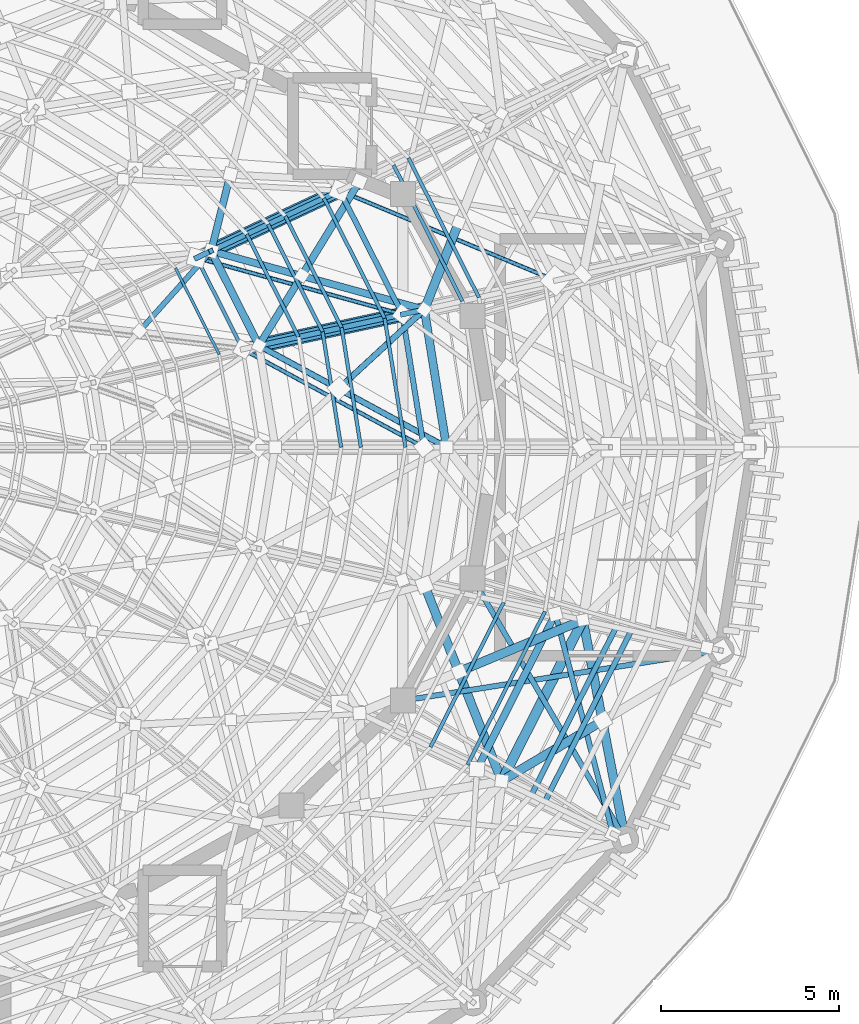
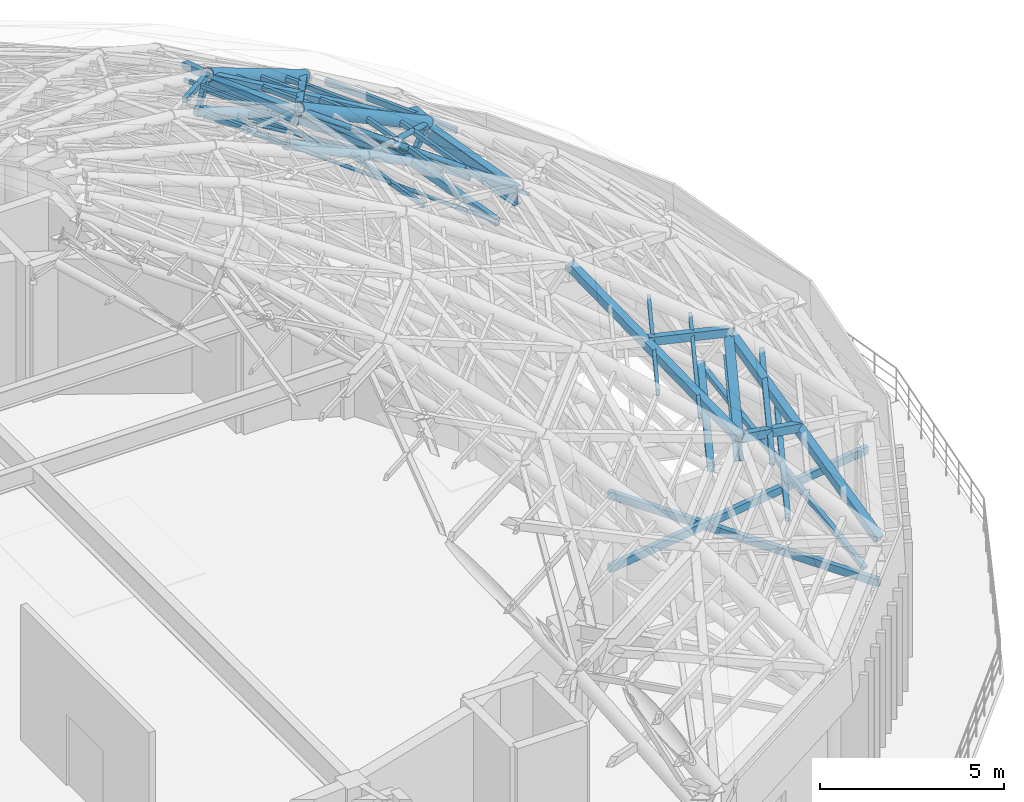
# One storey, part 23 of 50: 44 members, 3 beams.
"""IFC4 building model written with IfcOpenShell, lengths in metres."""

import ifcopenshell
import ifcopenshell.guid

model = None  # the IFC model being written
_history = None  # IfcOwnerHistory: only IFC2X3 demands one
_inside = {}  # id of a spatial element -> (the spatial element, [elements in it])
_under = {}  # id of a project, library or spatial element -> (it, [spatial elements below it])
_declared = {}  # id of a project -> (the project, [libraries it declares])
_typed = {}  # id of a type object -> (the type object, [elements of that type])
_made_of = {}  # id of a material, layer set ... -> (it, [elements and type objects made of it])


def new_model(schema):
    """Start an empty IFC model of exactly this schema.

    Asked for "IFC4X3", IfcOpenShell would pick the latest addendum, in which some entities
    have other attributes; the version numbers below select the first issue.
    IFC2X3 requires an IfcOwnerHistory on every rooted entity: one is made here for all.
    """
    global model, _history
    if schema == "IFC4X3":
        model = ifcopenshell.file(schema_version=(4, 3, 0, 0))
    else:
        model = ifcopenshell.file(schema=schema)
    _inside.clear()
    _under.clear()
    _declared.clear()
    _typed.clear()
    _made_of.clear()
    _history = None
    if model.schema == "IFC2X3":
        org = make("IfcOrganization", Name="unknown")
        user = make(
            "IfcPersonAndOrganization",
            ThePerson=make("IfcPerson", FamilyName="unknown"),
            TheOrganization=org,
        )
        app = make(
            "IfcApplication",
            ApplicationDeveloper=org,
            Version="unknown",
            ApplicationFullName="unknown",
            ApplicationIdentifier="unknown",
        )
        _history = make(
            "IfcOwnerHistory",
            OwningUser=user,
            OwningApplication=app,
            ChangeAction="ADDED",
            CreationDate=0,
        )
    return model


def make(cls, **values):
    """One entity of the class cls with the attributes given. An attribute that is None is left unset."""
    return model.create_entity(
        cls, **{name: value for name, value in values.items() if value is not None}
    )


def rooted(cls, **values):
    """An entity with a GlobalId (a new one), such as an element, a storey or a relation."""
    return make(cls, GlobalId=ifcopenshell.guid.new(), OwnerHistory=_history, **values)


def si_unit(unit_type, name, prefix=None):
    """IfcSIUnit, for example si_unit("LENGTHUNIT", "METRE", prefix="MILLI")."""
    return make("IfcSIUnit", UnitType=unit_type, Prefix=prefix, Name=name)


def assignment(units):
    """IfcUnitAssignment: the units of a project."""
    return None if units is None else make("IfcUnitAssignment", Units=units)


def point(xyz):
    """IfcCartesianPoint."""
    return None if xyz is None else make("IfcCartesianPoint", Coordinates=xyz)


def direction(xyz):
    """IfcDirection."""
    return None if xyz is None else make("IfcDirection", DirectionRatios=xyz)


def frame(location, z_axis=None, x_axis=None):
    """IfcAxis2Placement3D, a coordinate frame: its origin and axes. An axis left out is left unset."""
    return make(
        "IfcAxis2Placement3D",
        Location=point(location),
        Axis=direction(z_axis),
        RefDirection=direction(x_axis),
    )


def frame_2d(location, x_axis=None):
    """IfcAxis2Placement2D, a coordinate frame in the plane: its origin and x axis."""
    return make(
        "IfcAxis2Placement2D", Location=point(location), RefDirection=direction(x_axis)
    )


def origin():
    """The frame at (0, 0, 0) with its axes left unset."""
    return frame((0.0, 0.0, 0.0))


def origin_2d():
    """The frame at (0, 0) in the plane with its x axis left unset."""
    return frame_2d((0.0, 0.0))


def place(relative_to, where):
    """IfcLocalPlacement: puts the frame where relative to a parent placement (None: the world)."""
    return make(
        "IfcLocalPlacement", PlacementRelTo=relative_to, RelativePlacement=where
    )


def context(
    kind, dimensions, precision=None, world=None, true_north=None, identifier=None
):
    """IfcGeometricRepresentationContext, for example the 3D "Model" context."""
    return make(
        "IfcGeometricRepresentationContext",
        ContextIdentifier=identifier,
        ContextType=kind,
        CoordinateSpaceDimension=dimensions,
        Precision=precision,
        WorldCoordinateSystem=world,
        TrueNorth=true_north,
    )


def subcontext(parent, identifier, kind, view, scale=None):
    """IfcGeometricRepresentationSubContext, for example "Body" below "Model"."""
    return make(
        "IfcGeometricRepresentationSubContext",
        ContextIdentifier=identifier,
        ContextType=kind,
        ParentContext=parent,
        TargetScale=scale,
        TargetView=view,
    )


def project(units=None, contexts=None):
    """IfcProject with its units and contexts."""
    return rooted(
        "IfcProject",
        Name="project",
        RepresentationContexts=contexts,
        UnitsInContext=assignment(units),
    )


def spatial(cls, under=None, at=None, **own):
    """A site, building, storey or space (cls), placed at a placement, below another one or the project."""
    s = rooted(cls, ObjectPlacement=at, **own)
    if under is not None:
        _under.setdefault(under.id(), (under, []))[1].append(s)
    return s


def profile(cls, at=None, kind="AREA", **sizes):
    """A parametric profile (cls). Its sizes go by their IFC names, for example OverallWidth=200.0."""
    return make(cls, ProfileType=kind, Position=at, **sizes)


def hollow_rectangle(**sizes):
    """IfcRectangleHollowProfileDef."""
    return profile("IfcRectangleHollowProfileDef", **sizes)


def hollow_circle(**sizes):
    """IfcCircleHollowProfileDef."""
    return profile("IfcCircleHollowProfileDef", **sizes)


def i_section(**sizes):
    """IfcIShapeProfileDef."""
    return profile("IfcIShapeProfileDef", **sizes)


def extrude(swept, where, along, depth):
    """IfcExtrudedAreaSolid: the profile swept, set in the frame where, extruded along a direction by depth."""
    return make(
        "IfcExtrudedAreaSolid",
        SweptArea=swept,
        Position=where,
        ExtrudedDirection=direction(along),
        Depth=depth,
    )


def shape(context_of_items, identifier, shape_type, items):
    """IfcShapeRepresentation: the items that make up one representation, for example the "Body"."""
    return make(
        "IfcShapeRepresentation",
        ContextOfItems=context_of_items,
        RepresentationIdentifier=identifier,
        RepresentationType=shape_type,
        Items=items,
    )


def material(Name=None, Category=None):
    """IfcMaterial."""
    return make("IfcMaterial", Name=Name, Category=Category)


def material_profile(
    of_material, cross_section, Name=None, Category=None, Priority=None
):
    """IfcMaterialProfile: a cross section and its material."""
    return make(
        "IfcMaterialProfile",
        Name=Name,
        Material=of_material,
        Profile=cross_section,
        Priority=Priority,
        Category=Category,
    )


def profile_set(profiles, Name=None, composite=None):
    """IfcMaterialProfileSet."""
    return make(
        "IfcMaterialProfileSet",
        Name=Name,
        MaterialProfiles=profiles,
        CompositeProfile=composite,
    )


def made_of(thing, what):
    """Note that an element or type object is made of a material, layer set ...; save() writes the relation."""
    if what is not None:
        _made_of.setdefault(what.id(), (what, []))[1].append(thing)
    return thing


def type_object(cls, material=None, **own):
    """A type object (cls), such as IfcWallType, which elements share."""
    return made_of(rooted(cls, **own), material)


def element(
    cls,
    number,
    at=None,
    inside=None,
    cuts=None,
    type_object=None,
    material=None,
    context=None,
    identifier="Body",
    shape_type=None,
    held_by="IfcProductDefinitionShape",
    body=None,
    shapes=None,
    **own,
):
    """One element of the class cls, such as IfcWall. Its Tag is "e" and its number.

    at: its placement. inside: the storey or other place that contains it. cuts: it is an
    opening in that element (IfcRelVoidsElement). A single representation is given by context,
    identifier, shape_type and body (its items); several are given by shapes. held_by: the class
    of the entity that holds the representations. save() writes the other relations.
    """
    e = rooted(cls, Tag="e%d" % number, ObjectPlacement=at, **own)
    if body is not None:
        shapes = [shape(context, identifier, shape_type, body)]
    if shapes is not None:
        e.Representation = make(held_by, Representations=shapes)
    if inside is not None:
        _inside.setdefault(inside.id(), (inside, []))[1].append(e)
    if cuts is not None:
        rooted(
            "IfcRelVoidsElement", RelatingBuildingElement=cuts, RelatedOpeningElement=e
        )
    if type_object is not None:
        _typed.setdefault(type_object.id(), (type_object, []))[1].append(e)
    return made_of(e, material)


def aggregate(whole, parts):
    """IfcRelAggregates: a whole, such as a stair, and the parts it consists of."""
    return rooted("IfcRelAggregates", RelatingObject=whole, RelatedObjects=parts)


def save(model, path):
    """Write the relations noted so far, then the file.

    IfcRelAggregates (storeys below a building ...), IfcRelContainedInSpatialStructure (elements
    in a storey), IfcRelDefinesByType, IfcRelAssociatesMaterial and IfcRelDeclares: one each for
    every whole, place, type object, material and project.
    """
    for whole, parts in _under.values():
        aggregate(whole, parts)
    for where, things in _inside.values():
        rooted(
            "IfcRelContainedInSpatialStructure",
            RelatedElements=things,
            RelatingStructure=where,
        )
    for kind, things in _typed.values():
        rooted("IfcRelDefinesByType", RelatedObjects=things, RelatingType=kind)
    for what, things in _made_of.values():
        rooted("IfcRelAssociatesMaterial", RelatedObjects=things, RelatingMaterial=what)
    for by, libraries in _declared.values():
        rooted("IfcRelDeclares", RelatingContext=by, RelatedDefinitions=libraries)
    model.write(path)


model = new_model("IFC4")

# Units and contexts
model_context = context("Model", 3, precision=1e-05, world=origin(), true_north=direction((0.0, 1.0)))
body_context = subcontext(model_context, "Body", "Model", "MODEL_VIEW")
ifc_project = project(units=[si_unit("LENGTHUNIT", "METRE"), si_unit("AREAUNIT", "SQUARE_METRE"), si_unit("VOLUMEUNIT", "CUBIC_METRE"), si_unit("PLANEANGLEUNIT", "RADIAN"), si_unit("MASSUNIT", "GRAM", prefix="KILO")], contexts=[model_context])

# Site, building, storey
site_placement = place(None, origin())
site = spatial("IfcSite", under=ifc_project, at=site_placement, CompositionType="ELEMENT")
building_placement = place(site_placement, origin())
building = spatial("IfcBuilding", under=site, at=building_placement, Name="Cinderbank Siding Concert Hall", CompositionType="ELEMENT")
storey_placement = place(building_placement, frame((0.0, 0.0, 23.699951171875)))
storey = spatial("IfcBuildingStorey", under=building, at=storey_placement, Name="L06", CompositionType="ELEMENT", Elevation=23.699951171875)

# Beams
ifc_material_1 = material(Name="Structural steel AS/NZS 3679.1 Grade 350 (340 MPa)", Category="steel")
ifc_material_profile_1 = material_profile(ifc_material_1, i_section(OverallWidth=0.208984375, OverallDepth=0.532958984375, WebThickness=0.01025390625, FlangeThickness=0.015625, at=origin_2d()), Name="530UB92.4", Category="LoadBearing")
ifc_profile_set_1 = profile_set([ifc_material_profile_1], Name="Structural steel AS/NZS 3679.1 Grade 350 (340 MPa)")
beam_type_1 = type_object("IfcBeamType", Name="BM-UB530H 530UB92.4", PredefinedType="BEAM", material=ifc_profile_set_1)
beam_1_placement = place(storey_placement, frame((134.943359375, 46.846923828125, 13.733642578125), z_axis=(-0.450464034006, 0.892794575514, 0.0), x_axis=(-0.892794575514, -0.450464034006, 0.0)))
element("IfcBeam", 1, at=beam_1_placement, inside=storey, type_object=beam_type_1, Name="L06 Beam BM-UB530H #2073", PredefinedType="BEAM", context=body_context, shape_type="SweptSolid", body=[
    extrude(i_section(OverallWidth=0.208984375, OverallDepth=0.532958984375, WebThickness=0.01025390625, FlangeThickness=0.015625, at=origin_2d()), origin(), (0.0, 0.0, 1.0), 2.9716796875),
])
ifc_material_profile_2 = material_profile(ifc_material_1, i_section(OverallWidth=0.22900390625, OverallDepth=0.611572265625, WebThickness=0.011962890625, FlangeThickness=0.01953125, at=origin_2d()), Name="610UB125", Category="LoadBearing")
ifc_profile_set_2 = profile_set([ifc_material_profile_2], Name="Structural steel AS/NZS 3679.1 Grade 350 (340 MPa)")
beam_type_2 = type_object("IfcBeamType", Name="BM-UB610H 610UB125", PredefinedType="BEAM", material=ifc_profile_set_2)
beam_2_placement = place(storey_placement, frame((140.199951171875, 44.0, 10.994140625), z_axis=(-0.158760786177, 0.987317078133, 0.0), x_axis=(-0.987317078133, -0.158760786177, 0.0)))
element("IfcBeam", 2, at=beam_2_placement, inside=storey, type_object=beam_type_2, Name="L06 Beam BM-UB610H #2057", PredefinedType="BEAM", context=body_context, shape_type="SweptSolid", body=[
    extrude(i_section(OverallWidth=0.22900390625, OverallDepth=0.611572265625, WebThickness=0.011962890625, FlangeThickness=0.01953125, at=origin_2d()), origin(), (0.0, 0.0, 1.0), 3.906005859375),
])
ifc_material_2 = material(Name="Structural steel welded plate section AS/NZS 3679.2 / AS/NZS 3678 Grade 350 (340 MPa)", Category="steel")
ifc_material_profile_3 = material_profile(ifc_material_2, i_section(OverallWidth=0.27490234375, OverallDepth=0.800048828125, WebThickness=0.010009765625, FlangeThickness=0.01611328125, at=origin_2d()), Name="800WB146", Category="LoadBearing")
ifc_profile_set_3 = profile_set([ifc_material_profile_3], Name="Structural steel welded plate section AS/NZS 3679.2 / AS/NZS 3678 Grade 350 (340 MPa)")
beam_type_3 = type_object("IfcBeamType", Name="BM-WB800 800WB146", PredefinedType="BEAM", material=ifc_profile_set_3)
beam_3_placement = place(storey_placement, frame((141.745361328125, 34.64990234375, 7.699951171875), z_axis=(0.450804825768, 0.892622545685, 0.0), x_axis=(-0.892622545685, 0.450804825768, 0.0)))
element("IfcBeam", 3, at=beam_3_placement, inside=storey, type_object=beam_type_3, Name="L06 Beam BM-WB800 #2055", PredefinedType="BEAM", context=body_context, shape_type="SweptSolid", body=[
    extrude(i_section(OverallWidth=0.27490234375, OverallDepth=0.800048828125, WebThickness=0.010009765625, FlangeThickness=0.01611328125, at=origin_2d()), origin(), (0.0, 0.0, 1.0), 5.052734375),
])

# Members
ifc_material_3 = material(Name="Structural steel hollow section AS/NZS 1163 Grade C350L0 (350 MPa)", Category="steel")
ifc_material_profile_4 = material_profile(ifc_material_3, hollow_circle(Radius=0.05712890625, WallThickness=0.006103515625, at=origin_2d()), Name="114.3x6.0CHS", Category="LoadBearing")
ifc_profile_set_4 = profile_set([ifc_material_profile_4], Name="Structural steel hollow section AS/NZS 1163 Grade C350L0 (350 MPa)")
member_type_1 = type_object("IfcMemberType", Name="BR-CHS114 114.3x6.0CHS Roof Truss", PredefinedType="BRACE", material=ifc_profile_set_4)
member_1_placement = place(storey_placement, frame((143.252197265625, 48.67041015625, 7.150146484375), z_axis=(-0.829240464748, 0.345681598238, 0.439163391307), x_axis=(-0.384771620518, -0.923011809266, 0.0)))
element("IfcMember", 4, at=member_1_placement, inside=storey, type_object=member_type_1, Name="L06 Diagonal Brace BR-CHS114 #DBRI-BR-CHS114-L06-0839", PredefinedType="BRACE", context=body_context, shape_type="SweptSolid", body=[
    extrude(hollow_circle(Radius=0.05712890625, WallThickness=0.006103515625, at=origin_2d()), origin(), (0.0, 0.0, 1.0), 7.286376953125),
])
member_2_placement = place(storey_placement, frame((139.56298828125, 44.0, 10.35009765625), z_axis=(-0.796401394474, 0.431337772153, 0.42390157489), x_axis=(-0.47624361014, -0.879313382021, 0.0)))
element("IfcMember", 5, at=member_2_placement, inside=storey, type_object=member_type_1, Name="L06 Diagonal Brace BR-CHS114 #DBRI-BR-CHS114-L06-1115", PredefinedType="BRACE", context=body_context, shape_type="SweptSolid", body=[
    extrude(hollow_circle(Radius=0.05712890625, WallThickness=0.006103515625, at=origin_2d()), origin(), (0.0, 0.0, 1.0), 6.369384765625),
])
member_3_placement = place(storey_placement, frame((138.964599609375, 47.721435546875, 10.35009765625), z_axis=(-0.878774755646, 0.241739333874, 0.411481498124), x_axis=(-0.265234287564, -0.964183993178, 0.0)))
element("IfcMember", 6, at=member_3_placement, inside=storey, type_object=member_type_1, Name="L06 Diagonal Brace BR-CHS114 #DBRI-BR-CHS114-L06-1127", PredefinedType="BRACE", context=body_context, shape_type="SweptSolid", body=[
    extrude(hollow_circle(Radius=0.05712890625, WallThickness=0.006103515625, at=origin_2d()), origin(), (0.0, 0.0, 1.0), 6.5615234375),
])
ifc_material_profile_5 = material_profile(ifc_material_3, hollow_circle(Radius=0.084228515625, WallThickness=0.007080078125, at=origin_2d()), Name="168.3x7.1CHS", Category="LoadBearing")
ifc_profile_set_5 = profile_set([ifc_material_profile_5], Name="Structural steel hollow section AS/NZS 1163 Grade C350L0 (350 MPa)")
member_type_2 = type_object("IfcMemberType", Name="BR-CHS168 168.3x7.1CHS Roof Truss", PredefinedType="BRACE", material=ifc_profile_set_5)
member_4_placement = place(storey_placement, frame((140.199951171875, 44.0, 11.300048828125), z_axis=(-0.801376125619, 0.434018252791, 0.411612027924), x_axis=(-0.476231837707, -0.879319757969, 0.0)))
element("IfcMember", 7, at=member_4_placement, inside=storey, type_object=member_type_2, Name="L06 Diagonal Brace BR-CHS168 #DBRO-BR-CHS168-L06-1113", PredefinedType="BRACE", context=body_context, shape_type="SweptSolid", body=[
    extrude(hollow_circle(Radius=0.084228515625, WallThickness=0.007080078125, at=origin_2d()), origin(), (0.0, 0.0, 1.0), 6.5595703125),
])
member_5_placement = place(storey_placement, frame((139.579833984375, 47.8564453125, 11.300048828125), z_axis=(-0.663956549891, -0.61257573613, 0.428850402076), x_axis=(0.678096452282, -0.734972925625, 0.0)))
element("IfcMember", 8, at=member_5_placement, inside=storey, type_object=member_type_2, Name="L06 Diagonal Brace BR-CHS168 #DBRO-BR-CHS168-L06-1114", PredefinedType="BRACE", context=body_context, shape_type="SweptSolid", body=[
    extrude(hollow_circle(Radius=0.084228515625, WallThickness=0.007080078125, at=origin_2d()), origin(), (0.0, 0.0, 1.0), 3.6064453125),
])
ifc_material_profile_6 = material_profile(ifc_material_3, hollow_rectangle(XDim=0.14990234375, YDim=0.14990234375, WallThickness=0.008056640625, at=origin_2d()), Name="150x150x8.0SHS", Category="LoadBearing")
ifc_profile_set_6 = profile_set([ifc_material_profile_6], Name="Structural steel hollow section AS/NZS 1163 Grade C350L0 (350 MPa)")
member_type_3 = type_object("IfcMemberType", Name="BR-SHS150 150x150x8.0SHS Roof Truss", PredefinedType="BRACE", material=ifc_profile_set_6)
member_6_placement = place(storey_placement, frame((144.861328125, 33.1650390625, 3.550048828125), z_axis=(-0.219889639227, 0.842393171063, 0.491957611901), x_axis=(-0.967579416305, -0.252566967638, 0.0)))
element("IfcMember", 9, at=member_6_placement, inside=storey, type_object=member_type_3, Name="L06 Diagonal Brace BR-SHS150 #DBRI-BR-SHS150-L06-0803", PredefinedType="BRACE", context=body_context, shape_type="SweptSolid", body=[
    extrude(hollow_rectangle(XDim=0.14990234375, YDim=0.14990234375, WallThickness=0.008056640625, at=origin_2d()), origin(), (0.0, 0.0, 1.0), 7.31787109375),
])
member_7_placement = place(storey_placement, frame((138.964599609375, 47.721435546875, 10.35009765625), z_axis=(-0.731050843587, -0.158983918507, 0.663542596784), x_axis=(0.212505996554, -0.97715976249, 0.0)))
element("IfcMember", 10, at=member_7_placement, inside=storey, type_object=member_type_3, Name="L06 Diagonal Brace BR-SHS150 #DWBD-BR-SHS150-L06-1118", PredefinedType="BRACE", context=body_context, shape_type="SweptSolid", body=[
    extrude(hollow_rectangle(XDim=0.14990234375, YDim=0.14990234375, WallThickness=0.008056640625, at=origin_2d()), origin(), (0.0, 0.0, 1.0), 5.500732421875),
])
member_8_placement = place(storey_placement, frame((138.964599609375, 47.721435546875, 10.35009765625), z_axis=(0.539773108895, 0.118450210008, 0.833435383616), x_axis=(-0.214344160509, 0.976758199789, 0.0)))
element("IfcMember", 11, at=member_8_placement, inside=storey, type_object=member_type_3, Name="L06 Diagonal Brace BR-SHS150 #DWBV-BR-SHS150-L06-1121", PredefinedType="BRACE", context=body_context, shape_type="SweptSolid", body=[
    extrude(hollow_rectangle(XDim=0.14990234375, YDim=0.14990234375, WallThickness=0.008056640625, at=origin_2d()), origin(), (0.0, 0.0, 1.0), 1.139892578125),
])
member_9_placement = place(storey_placement, frame((137.2099609375, 51.189208984375, 10.35009765625), z_axis=(-0.667487033286, -0.312747530528, 0.675758864199), x_axis=(0.424281475466, -0.905530358175, 0.0)))
element("IfcMember", 12, at=member_9_placement, inside=storey, type_object=member_type_3, Name="L06 Diagonal Brace BR-SHS150 #DWBD-BR-SHS150-L06-1130", PredefinedType="BRACE", context=body_context, shape_type="SweptSolid", body=[
    extrude(hollow_rectangle(XDim=0.14990234375, YDim=0.14990234375, WallThickness=0.008056640625, at=origin_2d()), origin(), (0.0, 0.0, 1.0), 5.401123046875),
])
member_10_placement = place(storey_placement, frame((133.604736328125, 49.5, 14.0), z_axis=(-0.617949788292, -0.691123105075, 0.374815838487), x_axis=(0.74546827407, -0.666541110776, 0.0)))
element("IfcMember", 13, at=member_10_placement, inside=storey, type_object=member_type_3, Name="L06 Diagonal Brace BR-SHS150 #DBRO-BR-SHS150-L06-1414", PredefinedType="BRACE", context=body_context, shape_type="SweptSolid", body=[
    extrude(hollow_rectangle(XDim=0.14990234375, YDim=0.14990234375, WallThickness=0.008056640625, at=origin_2d()), origin(), (0.0, 0.0, 1.0), 3.246337890625),
])
member_11_placement = place(storey_placement, frame((133.198486328125, 49.3076171875, 13.050048828125), z_axis=(0.386561752789, 0.183059291585, 0.903913329388), x_axis=(-0.427992952164, 0.903782071574, 0.0)))
element("IfcMember", 14, at=member_11_placement, inside=storey, type_object=member_type_3, Name="L06 Diagonal Brace BR-SHS150 #DWBV-BR-SHS150-L06-1421", PredefinedType="BRACE", context=body_context, shape_type="SweptSolid", body=[
    extrude(hollow_rectangle(XDim=0.14990234375, YDim=0.14990234375, WallThickness=0.008056640625, at=origin_2d()), origin(), (0.0, 0.0, 1.0), 1.051025390625),
])
ifc_material_profile_7 = material_profile(ifc_material_3, hollow_rectangle(XDim=0.199951171875, YDim=0.199951171875, WallThickness=0.009033203125, at=origin_2d()), Name="200x200x9.0SHS", Category="LoadBearing")
ifc_profile_set_7 = profile_set([ifc_material_profile_7], Name="Structural steel hollow section AS/NZS 1163 Grade C350L0 (350 MPa)")
member_type_4 = type_object("IfcMemberType", Name="BR-SHS200 200x200x9.0SHS Roof Truss", PredefinedType="BRACE", material=ifc_profile_set_7)
member_12_placement = place(storey_placement, frame((139.579833984375, 47.8564453125, 11.300048828125), z_axis=(-0.883936607354, 0.243142160689, 0.399422037294), x_axis=(-0.265216916337, -0.964188771605, 0.0)))
element("IfcMember", 15, at=member_12_placement, inside=storey, type_object=member_type_4, Name="L06 Diagonal Brace BR-SHS200 #DBRO-BR-SHS200-L06-1125", PredefinedType="BRACE", context=body_context, shape_type="SweptSolid", body=[
    extrude(hollow_rectangle(XDim=0.199951171875, YDim=0.199951171875, WallThickness=0.009033203125, at=origin_2d()), origin(), (0.0, 0.0, 1.0), 6.759765625),
])
member_13_placement = place(storey_placement, frame((137.76171875, 51.449951171875, 11.300048828125), z_axis=(-0.467031494805, -0.762705093905, 0.447395264382), x_axis=(0.852816849032, -0.522210132043, 0.0)))
element("IfcMember", 16, at=member_13_placement, inside=storey, type_object=member_type_4, Name="L06 Diagonal Brace BR-SHS200 #DBRO-BR-SHS200-L06-1126", PredefinedType="BRACE", context=body_context, shape_type="SweptSolid", body=[
    extrude(hollow_rectangle(XDim=0.199951171875, YDim=0.199951171875, WallThickness=0.009033203125, at=origin_2d()), origin(), (0.0, 0.0, 1.0), 3.45654296875),
])
member_14_placement = place(storey_placement, frame((136.133544921875, 48.790771484375, 12.85986328125), z_axis=(-0.467008937267, -0.762733365851, 0.447370612726), x_axis=(0.852836701798, -0.522177709277, 0.0)))
element("IfcMember", 17, at=member_14_placement, inside=storey, type_object=member_type_4, Name="L06 Diagonal Brace BR-SHS200 #DBRO-BR-SHS200-L06-1126-S106", PredefinedType="BRACE", context=body_context, shape_type="SweptSolid", body=[
    extrude(hollow_rectangle(XDim=0.199951171875, YDim=0.199951171875, WallThickness=0.009033203125, at=origin_2d()), origin(), (0.0, 0.0, 1.0), 2.548583984375),
])
member_15_placement = place(storey_placement, frame((134.138427734375, 51.62548828125, 12.8603515625), z_axis=(-0.216061860675, -0.860491564059, 0.461380039171), x_axis=(0.969892965569, -0.243531590022, 0.0)))
element("IfcMember", 18, at=member_15_placement, inside=storey, type_object=member_type_4, Name="L06 Diagonal Brace BR-SHS200 #DBRO-BR-SHS200-L06-1138-S107", PredefinedType="BRACE", context=body_context, shape_type="SweptSolid", body=[
    extrude(hollow_rectangle(XDim=0.199951171875, YDim=0.199951171875, WallThickness=0.009033203125, at=origin_2d()), origin(), (0.0, 0.0, 1.0), 2.469970703125),
])
ifc_material_profile_8 = material_profile(ifc_material_3, hollow_rectangle(XDim=0.25, YDim=0.25, WallThickness=0.010009765625, at=origin_2d()), Name="250x250x10.0SHS", Category="LoadBearing")
ifc_profile_set_8 = profile_set([ifc_material_profile_8], Name="Structural steel hollow section AS/NZS 1163 Grade C350L0 (350 MPa)")
member_type_5 = type_object("IfcMemberType", Name="BR-SHS250 250x250x10.0SHS Roof Truss", PredefinedType="BRACE", material=ifc_profile_set_8)
member_16_placement = place(storey_placement, frame((145.20947265625, 33.0, 4.5), z_axis=(-0.164010561701, 0.851680282535, 0.497736106779), x_axis=(-0.981958115375, -0.189098544809, 0.0)))
element("IfcMember", 19, at=member_16_placement, inside=storey, type_object=member_type_5, Name="L06 Diagonal Brace BR-SHS250 #DBRO-BR-SHS250-L06-0801", PredefinedType="BRACE", context=body_context, shape_type="SweptSolid", body=[
    extrude(hollow_rectangle(XDim=0.25, YDim=0.25, WallThickness=0.010009765625, at=origin_2d()), origin(), (0.0, 0.0, 1.0), 7.23291015625),
])
member_17_placement = place(storey_placement, frame((144.556396484375, 36.3232421875, 6.452392578125), z_axis=(-0.767432013874, -0.456833335339, 0.449834867261), x_axis=(0.511507475966, -0.85927882671, 0.0)))
element("IfcMember", 20, at=member_17_placement, inside=storey, type_object=member_type_5, Name="L06 Diagonal Brace BR-SHS250 #DBRO-BR-SHS250-L06-0802-S79", PredefinedType="BRACE", context=body_context, shape_type="SweptSolid", body=[
    extrude(hollow_rectangle(XDim=0.25, YDim=0.25, WallThickness=0.010009765625, at=origin_2d()), origin(), (0.0, 0.0, 1.0), 3.662841796875),
])
member_18_placement = place(storey_placement, frame((140.535400390625, 50.280029296875, 9.888427734375), z_axis=(-0.322496479179, -0.817941376804, 0.476411508077), x_axis=(0.930300857103, -0.366797376317, 0.0)))
element("IfcMember", 21, at=member_18_placement, inside=storey, type_object=member_type_5, Name="L06 Diagonal Brace BR-SHS250 #DBRO-BR-SHS250-L06-0838-S82", PredefinedType="BRACE", context=body_context, shape_type="SweptSolid", body=[
    extrude(hollow_rectangle(XDim=0.25, YDim=0.25, WallThickness=0.010009765625, at=origin_2d()), origin(), (0.0, 0.0, 1.0), 2.963134765625),
])
member_19_placement = place(storey_placement, frame((141.745361328125, 34.64990234375, 8.10009765625), z_axis=(-0.322426023845, 0.817951565791, 0.476441701752), x_axis=(-0.930329758062, -0.366724066928, 0.0)))
element("IfcMember", 22, at=member_19_placement, inside=storey, type_object=member_type_5, Name="L06 Diagonal Brace BR-SHS250 #DBRO-BR-SHS250-L06-1089", PredefinedType="BRACE", context=body_context, shape_type="SweptSolid", body=[
    extrude(hollow_rectangle(XDim=0.25, YDim=0.25, WallThickness=0.010009765625, at=origin_2d()), origin(), (0.0, 0.0, 1.0), 6.71630859375),
])
member_20_placement = place(storey_placement, frame((144.023193359375, 39.16015625, 8.10009765625), z_axis=(-0.834800890266, -0.348000061655, 0.426618600976), x_axis=(0.384772105455, -0.923011607112, 0.0)))
element("IfcMember", 23, at=member_20_placement, inside=storey, type_object=member_type_5, Name="L06 Diagonal Brace BR-SHS250 #DBRO-BR-SHS250-L06-1090", PredefinedType="BRACE", context=body_context, shape_type="SweptSolid", body=[
    extrude(hollow_rectangle(XDim=0.25, YDim=0.25, WallThickness=0.010009765625, at=origin_2d()), origin(), (0.0, 0.0, 1.0), 4.158203125),
])
ifc_material_profile_9 = material_profile(ifc_material_3, hollow_circle(Radius=0.161865234375, WallThickness=0.0126953125, at=origin_2d()), Name="323.9x12.7CHS", Category="LoadBearing")
ifc_profile_set_9 = profile_set([ifc_material_profile_9], Name="Structural steel hollow section AS/NZS 1163 Grade C350L0 (350 MPa)")
member_type_6 = type_object("IfcMemberType", Name="DR-CHS323 323.9x12.7CHS Roof Truss", PredefinedType="RAFTER", material=ifc_profile_set_9)
member_21_placement = place(storey_placement, frame((138.964599609375, 47.721435546875, 10.35009765625), z_axis=(-0.84168436413, -0.183254426109, 0.507922480788), x_axis=(0.212739533532, -0.977108945242, 0.0)))
element("IfcMember", 24, at=member_21_placement, inside=storey, type_object=member_type_6, Name="L06 Roof Truss Member DR-CHS323 #1117", PredefinedType="RAFTER", context=body_context, shape_type="SweptSolid", body=[
    extrude(hollow_circle(Radius=0.161865234375, WallThickness=0.0126953125, at=origin_2d()), origin(), (0.0, 0.0, 1.0), 5.315673828125),
])
member_22_placement = place(storey_placement, frame((137.2099609375, 51.189208984375, 10.35009765625), z_axis=(-0.773125439338, -0.362636343557, 0.520357509199), x_axis=(0.424658323183, -0.905353692516, 0.0)))
element("IfcMember", 25, at=member_22_placement, inside=storey, type_object=member_type_6, Name="L06 Roof Truss Member DR-CHS323 #1129", PredefinedType="RAFTER", context=body_context, shape_type="SweptSolid", body=[
    extrude(hollow_circle(Radius=0.161865234375, WallThickness=0.0126953125, at=origin_2d()), origin(), (0.0, 0.0, 1.0), 5.188720703125),
])
ifc_material_profile_10 = material_profile(ifc_material_3, hollow_circle(Radius=0.203125, WallThickness=0.01611328125, at=origin_2d()), Name="406.4x16.0CHS", Category="LoadBearing")
ifc_profile_set_10 = profile_set([ifc_material_profile_10], Name="Structural steel hollow section AS/NZS 1163 Grade C350L0 (350 MPa)")
member_type_7 = type_object("IfcMemberType", Name="DR-CHS406 406.4x16.0CHS Roof Truss", PredefinedType="RAFTER", material=ifc_profile_set_10)
member_23_placement = place(storey_placement, frame((139.579833984375, 47.8564453125, 11.300048828125), z_axis=(-0.849254264776, -0.18491213653, 0.494544937821), x_axis=(0.212750040998, -0.977106657461, 0.0)))
element("IfcMember", 26, at=member_23_placement, inside=storey, type_object=member_type_7, Name="L06 Roof Truss Member DR-CHS406 #1116", PredefinedType="RAFTER", context=body_context, shape_type="SweptSolid", body=[
    extrude(hollow_circle(Radius=0.203125, WallThickness=0.01611328125, at=origin_2d()), origin(), (0.0, 0.0, 1.0), 5.45947265625),
])
member_24_placement = place(storey_placement, frame((137.76171875, 51.449951171875, 11.300048828125), z_axis=(-0.780421117577, -0.366078784641, 0.506881842913), x_axis=(0.424677707241, -0.905344600124, 0.0)))
element("IfcMember", 27, at=member_24_placement, inside=storey, type_object=member_type_7, Name="L06 Roof Truss Member DR-CHS406 #1128", PredefinedType="RAFTER", context=body_context, shape_type="SweptSolid", body=[
    extrude(hollow_circle(Radius=0.203125, WallThickness=0.01611328125, at=origin_2d()), origin(), (0.0, 0.0, 1.0), 5.32666015625),
])
ifc_material_profile_11 = material_profile(ifc_material_3, hollow_rectangle(XDim=0.074951171875, YDim=0.125, WallThickness=0.0048828125, at=origin_2d()), Name="125x75x5.0RHS", Category="LoadBearing")
ifc_profile_set_11 = profile_set([ifc_material_profile_11], Name="Structural steel hollow section AS/NZS 1163 Grade C350L0 (350 MPa)")
member_type_8 = type_object("IfcMemberType", Name="PR-RHS125 125x75x5.0RHS Roof Truss", PredefinedType="PURLIN", material=ifc_profile_set_11)
member_25_placement = place(storey_placement, frame((133.830810546875, 46.598388671875, 14.47998046875), z_axis=(-0.451060515415, 0.892493367725, 0.0), x_axis=(-0.892493367725, -0.451060515415, 0.0)))
element("IfcMember", 28, at=member_25_placement, inside=storey, type_object=member_type_8, Name="L06 Roof Truss Member PR-RHS125 #1410", PredefinedType="PURLIN", context=body_context, shape_type="SweptSolid", body=[
    extrude(hollow_rectangle(XDim=0.074951171875, YDim=0.125, WallThickness=0.0048828125, at=origin_2d()), origin(), (0.0, 0.0, 1.0), 2.71337890625),
])
ifc_material_profile_12 = material_profile(ifc_material_3, hollow_rectangle(XDim=0.10009765625, YDim=0.14990234375, WallThickness=0.006103515625, at=origin_2d()), Name="150x100x6.0RHS", Category="LoadBearing")
ifc_profile_set_12 = profile_set([ifc_material_profile_12], Name="Structural steel hollow section AS/NZS 1163 Grade C350L0 (350 MPa)")
member_type_9 = type_object("IfcMemberType", Name="PR-RHS150 150x100x6.0RHS Roof Truss", PredefinedType="PURLIN", material=ifc_profile_set_12)
member_26_placement = place(storey_placement, frame((137.2470703125, 44.0, 11.699951171875), z_axis=(-0.158595064833, 0.987343711891, 0.0), x_axis=(-0.987343711891, -0.158595064833, 0.0)))
element("IfcMember", 29, at=member_26_placement, inside=storey, type_object=member_type_9, Name="L06 Roof Truss Member PR-RHS150 #1108", PredefinedType="PURLIN", context=body_context, shape_type="SweptSolid", body=[
    extrude(hollow_rectangle(XDim=0.10009765625, YDim=0.14990234375, WallThickness=0.006103515625, at=origin_2d()), origin(), (0.0, 0.0, 1.0), 3.27587890625),
])
member_27_placement = place(storey_placement, frame((139.048095703125, 44.0, 11.947998046875), z_axis=(-0.158739629939, 0.987320479827, 0.0), x_axis=(-0.987320479827, -0.158739629939, 0.0)))
element("IfcMember", 30, at=member_27_placement, inside=storey, type_object=member_type_9, Name="L06 Roof Truss Member PR-RHS150 #1110", PredefinedType="PURLIN", context=body_context, shape_type="SweptSolid", body=[
    extrude(hollow_rectangle(XDim=0.10009765625, YDim=0.14990234375, WallThickness=0.006103515625, at=origin_2d()), origin(), (0.0, 0.0, 1.0), 3.660400390625),
])
member_28_placement = place(storey_placement, frame((137.800048828125, 44.0, 12.650146484375), z_axis=(-0.158576691094, 0.987346663053, 0.0), x_axis=(-0.987346663053, -0.158576691094, 0.0)))
element("IfcMember", 31, at=member_28_placement, inside=storey, type_object=member_type_9, Name="L06 Roof Truss Member PR-RHS150 #1111", PredefinedType="PURLIN", context=body_context, shape_type="SweptSolid", body=[
    extrude(hollow_rectangle(XDim=0.10009765625, YDim=0.14990234375, WallThickness=0.006103515625, at=origin_2d()), origin(), (0.0, 0.0, 1.0), 3.394775390625),
])
member_29_placement = place(storey_placement, frame((136.7275390625, 47.234375, 11.699951171875), z_axis=(-0.451055615368, 0.892495844161, 0.0), x_axis=(-0.892495844161, -0.451055615368, 0.0)))
element("IfcMember", 32, at=member_29_placement, inside=storey, type_object=member_type_9, Name="L06 Roof Truss Member PR-RHS150 #1120", PredefinedType="PURLIN", context=body_context, shape_type="SweptSolid", body=[
    extrude(hollow_rectangle(XDim=0.10009765625, YDim=0.14990234375, WallThickness=0.006103515625, at=origin_2d()), origin(), (0.0, 0.0, 1.0), 3.376953125),
])
member_30_placement = place(storey_placement, frame((138.467041015625, 47.614013671875, 11.947998046875), z_axis=(-0.451271460716, 0.892386726001, 0.0), x_axis=(-0.892386726001, -0.451271460716, 0.0)))
element("IfcMember", 33, at=member_30_placement, inside=storey, type_object=member_type_9, Name="L06 Roof Truss Member PR-RHS150 #1122", PredefinedType="PURLIN", context=body_context, shape_type="SweptSolid", body=[
    extrude(hollow_rectangle(XDim=0.10009765625, YDim=0.14990234375, WallThickness=0.006103515625, at=origin_2d()), origin(), (0.0, 0.0, 1.0), 3.774169921875),
])
member_31_placement = place(storey_placement, frame((137.26171875, 47.351806640625, 12.650146484375), z_axis=(-0.451088218669, 0.892479366136, 0.0), x_axis=(-0.892479366136, -0.451088218669, 0.0)))
element("IfcMember", 34, at=member_31_placement, inside=storey, type_object=member_type_9, Name="L06 Roof Truss Member PR-RHS150 #1123", PredefinedType="PURLIN", context=body_context, shape_type="SweptSolid", body=[
    extrude(hollow_rectangle(XDim=0.10009765625, YDim=0.14990234375, WallThickness=0.006103515625, at=origin_2d()), origin(), (0.0, 0.0, 1.0), 3.49951171875),
])
member_32_placement = place(storey_placement, frame((136.05615234375, 47.08935546875, 13.35205078125), z_axis=(-0.450813445479, 0.892618192384, 0.0), x_axis=(-0.892618192384, -0.450813445479, 0.0)))
element("IfcMember", 35, at=member_32_placement, inside=storey, type_object=member_type_9, Name="L06 Roof Truss Member PR-RHS150 #1124", PredefinedType="PURLIN", context=body_context, shape_type="SweptSolid", body=[
    extrude(hollow_rectangle(XDim=0.10009765625, YDim=0.14990234375, WallThickness=0.006103515625, at=origin_2d()), origin(), (0.0, 0.0, 1.0), 3.224853515625),
])
ifc_material_profile_13 = material_profile(ifc_material_3, hollow_rectangle(XDim=0.10009765625, YDim=0.199951171875, WallThickness=0.008056640625, at=origin_2d()), Name="200x100x8.0RHS", Category="LoadBearing")
ifc_profile_set_13 = profile_set([ifc_material_profile_13], Name="Structural steel hollow section AS/NZS 1163 Grade C350L0 (350 MPa)")
member_type_10 = type_object("IfcMemberType", Name="PR-RHS200 200x100x8.0RHS Roof Truss", PredefinedType="PURLIN", material=ifc_profile_set_13)
member_33_placement = place(storey_placement, frame((141.1083984375, 48.19580078125, 8.75), z_axis=(-0.451087798858, 0.892479578322, 0.0), x_axis=(-0.892479578322, -0.451087798858, 0.0)))
element("IfcMember", 36, at=member_33_placement, inside=storey, type_object=member_type_10, Name="L06 Roof Truss Member PR-RHS200 #832", PredefinedType="PURLIN", context=body_context, shape_type="SweptSolid", body=[
    extrude(hollow_rectangle(XDim=0.10009765625, YDim=0.199951171875, WallThickness=0.008056640625, at=origin_2d()), origin(), (0.0, 0.0, 1.0), 4.38134765625),
])
member_34_placement = place(storey_placement, frame((140.646240234375, 48.09228515625, 10.531982421875), z_axis=(-0.451253681826, 0.892395716394, 0.0), x_axis=(-0.892395716394, -0.451253681826, 0.0)))
element("IfcMember", 37, at=member_34_placement, inside=storey, type_object=member_type_10, Name="L06 Roof Truss Member PR-RHS200 #836", PredefinedType="PURLIN", context=body_context, shape_type="SweptSolid", body=[
    extrude(hollow_rectangle(XDim=0.10009765625, YDim=0.199951171875, WallThickness=0.008056640625, at=origin_2d()), origin(), (0.0, 0.0, 1.0), 4.273681640625),
])
member_35_placement = place(storey_placement, frame((140.789306640625, 35.10595703125, 8.8681640625), z_axis=(0.450948119115, 0.892550163222, 0.0), x_axis=(-0.892550163222, 0.450948119115, 0.0)))
element("IfcMember", 38, at=member_35_placement, inside=storey, type_object=member_type_10, Name="L06 Roof Truss Member PR-RHS200 #1086", PredefinedType="PURLIN", context=body_context, shape_type="SweptSolid", body=[
    extrude(hollow_rectangle(XDim=0.10009765625, YDim=0.199951171875, WallThickness=0.008056640625, at=origin_2d()), origin(), (0.0, 0.0, 1.0), 4.806396484375),
])
member_36_placement = place(storey_placement, frame((139.75341796875, 35.60009765625, 9.699951171875), z_axis=(0.451124181194, 0.892461188591, 0.0), x_axis=(-0.892461188591, 0.451124181194, 0.0)))
element("IfcMember", 39, at=member_36_placement, inside=storey, type_object=member_type_10, Name="L06 Roof Truss Member PR-RHS200 #1087", PredefinedType="PURLIN", context=body_context, shape_type="SweptSolid", body=[
    extrude(hollow_rectangle(XDim=0.10009765625, YDim=0.199951171875, WallThickness=0.008056640625, at=origin_2d()), origin(), (0.0, 0.0, 1.0), 4.5400390625),
])
member_37_placement = place(storey_placement, frame((134.490478515625, 46.747314453125, 13.050048828125), z_axis=(-0.45051363153, 0.892769549103, 0.0), x_axis=(-0.892769549103, -0.45051363153, 0.0)))
element("IfcMember", 40, at=member_37_placement, inside=storey, type_object=member_type_10, Name="L06 Roof Truss Member PR-RHS200 #1119", PredefinedType="PURLIN", context=body_context, shape_type="SweptSolid", body=[
    extrude(hollow_rectangle(XDim=0.10009765625, YDim=0.199951171875, WallThickness=0.008056640625, at=origin_2d()), origin(), (0.0, 0.0, 1.0), 2.867919921875),
])
ifc_material_profile_14 = material_profile(ifc_material_3, hollow_rectangle(XDim=0.14990234375, YDim=0.25, WallThickness=0.009033203125, at=origin_2d()), Name="250x150x9.0RHS", Category="LoadBearing")
ifc_profile_set_14 = profile_set([ifc_material_profile_14], Name="Structural steel hollow section AS/NZS 1163 Grade C350L0 (350 MPa)")
member_type_11 = type_object("IfcMemberType", Name="PR-RHS250 250x150x9.0RHS Roof Truss", PredefinedType="PURLIN", material=ifc_profile_set_14)
member_38_placement = place(storey_placement, frame((142.957763671875, 34.071044921875, 5.35009765625), z_axis=(0.450632270083, 0.892709671259, 0.0), x_axis=(-0.892709671259, 0.450632270083, 0.0)))
element("IfcMember", 41, at=member_38_placement, inside=storey, type_object=member_type_11, Name="L06 Roof Truss Member PR-RHS250 #796", PredefinedType="PURLIN", context=body_context, shape_type="SweptSolid", body=[
    extrude(hollow_rectangle(XDim=0.14990234375, YDim=0.25, WallThickness=0.009033203125, at=origin_2d()), origin(), (0.0, 0.0, 1.0), 5.365234375),
])
member_39_placement = place(storey_placement, frame((142.576904296875, 34.25390625, 7.236083984375), z_axis=(0.450696350116, 0.892677321316, 0.0), x_axis=(-0.892677321316, 0.450696350116, 0.0)))
element("IfcMember", 42, at=member_39_placement, inside=storey, type_object=member_type_11, Name="L06 Roof Truss Member PR-RHS250 #800", PredefinedType="PURLIN", context=body_context, shape_type="SweptSolid", body=[
    extrude(hollow_rectangle(XDim=0.14990234375, YDim=0.25, WallThickness=0.009033203125, at=origin_2d()), origin(), (0.0, 0.0, 1.0), 5.266357421875),
])
member_40_placement = place(storey_placement, frame((139.56298828125, 44.0, 10.35009765625), z_axis=(-0.158755893638, 0.987317864841, 0.0), x_axis=(-0.987317864841, -0.158755893638, 0.0)))
element("IfcMember", 43, at=member_40_placement, inside=storey, type_object=member_type_11, Name="L06 Roof Truss Member PR-RHS250 #819", PredefinedType="PURLIN", context=body_context, shape_type="SweptSolid", body=[
    extrude(hollow_rectangle(XDim=0.14990234375, YDim=0.25, WallThickness=0.009033203125, at=origin_2d()), origin(), (0.0, 0.0, 1.0), 3.769287109375),
])
member_41_placement = place(storey_placement, frame((138.964599609375, 47.721435546875, 10.35009765625), z_axis=(-0.451480187506, 0.892281144197, 0.0), x_axis=(-0.892281144197, -0.451480187506, 0.0)))
element("IfcMember", 44, at=member_41_placement, inside=storey, type_object=member_type_11, Name="L06 Roof Truss Member PR-RHS250 #831", PredefinedType="PURLIN", context=body_context, shape_type="SweptSolid", body=[
    extrude(hollow_rectangle(XDim=0.14990234375, YDim=0.25, WallThickness=0.009033203125, at=origin_2d()), origin(), (0.0, 0.0, 1.0), 3.886474609375),
])
ifc_material_profile_15 = material_profile(ifc_material_3, hollow_rectangle(XDim=0.199951171875, YDim=0.300048828125, WallThickness=0.010009765625, at=origin_2d()), Name="300x200x10.0RHS", Category="LoadBearing")
ifc_profile_set_15 = profile_set([ifc_material_profile_15], Name="Structural steel hollow section AS/NZS 1163 Grade C350L0 (350 MPa)")
member_type_12 = type_object("IfcMemberType", Name="PR-RHS300 300x200x10.0RHS Roof Truss", PredefinedType="PURLIN", material=ifc_profile_set_15)
member_42_placement = place(storey_placement, frame((141.05419921875, 34.977294921875, 7.150146484375), z_axis=(0.450795133604, 0.892627440492, 0.0), x_axis=(-0.892627440492, 0.450795133604, 0.0)))
element("IfcMember", 45, at=member_42_placement, inside=storey, type_object=member_type_12, Name="L06 Roof Truss Member PR-RHS300 #795", PredefinedType="PURLIN", context=body_context, shape_type="SweptSolid", body=[
    extrude(hollow_rectangle(XDim=0.199951171875, YDim=0.300048828125, WallThickness=0.010009765625, at=origin_2d()), origin(), (0.0, 0.0, 1.0), 4.875732421875),
])
ifc_material_profile_16 = material_profile(ifc_material_3, hollow_rectangle(XDim=0.14990234375, YDim=0.25, WallThickness=0.009033203125, at=origin_2d()), Name="250x150x9.0RHS", Category="LoadBearing")
ifc_profile_set_16 = profile_set([ifc_material_profile_16], Name="Structural steel hollow section AS/NZS 1163 Grade C350L0 (350 MPa)")
member_type_13 = type_object("IfcMemberType", Name="TR-RHS250 250x150x9.0RHS Roof Truss", PredefinedType="RAFTER", material=ifc_profile_set_16)
member_43_placement = place(storey_placement, frame((138.97412109375, 36.89990234375, 3.35009765625), z_axis=(0.987784236991, 0.155827793262, 0.0), x_axis=(-0.155827793262, 0.987784236991, 0.0)))
element("IfcMember", 46, at=member_43_placement, inside=storey, type_object=member_type_13, Name="L06 Roof Truss Member TR-RHS250 #2370", PredefinedType="RAFTER", context=body_context, shape_type="SweptSolid", body=[
    extrude(hollow_rectangle(XDim=0.14990234375, YDim=0.25, WallThickness=0.009033203125, at=origin_2d()), origin(), (0.0, 0.0, 1.0), 9.022705078125),
])
member_44_placement = place(storey_placement, frame((140.93212890625, 40.32470703125, 3.070068359375), z_axis=(0.50427542144, -0.863542876372, 0.0), x_axis=(0.863542876372, 0.50427542144, 0.0)))
element("IfcMember", 47, at=member_44_placement, inside=storey, type_object=member_type_13, Name="L06 Roof Truss Member TR-RHS250 #2371", PredefinedType="RAFTER", context=body_context, shape_type="SweptSolid", body=[
    extrude(hollow_rectangle(XDim=0.14990234375, YDim=0.25, WallThickness=0.009033203125, at=origin_2d()), origin(), (0.0, 0.0, 1.0), 8.482177734375),
])

save(model, "model.ifc")
